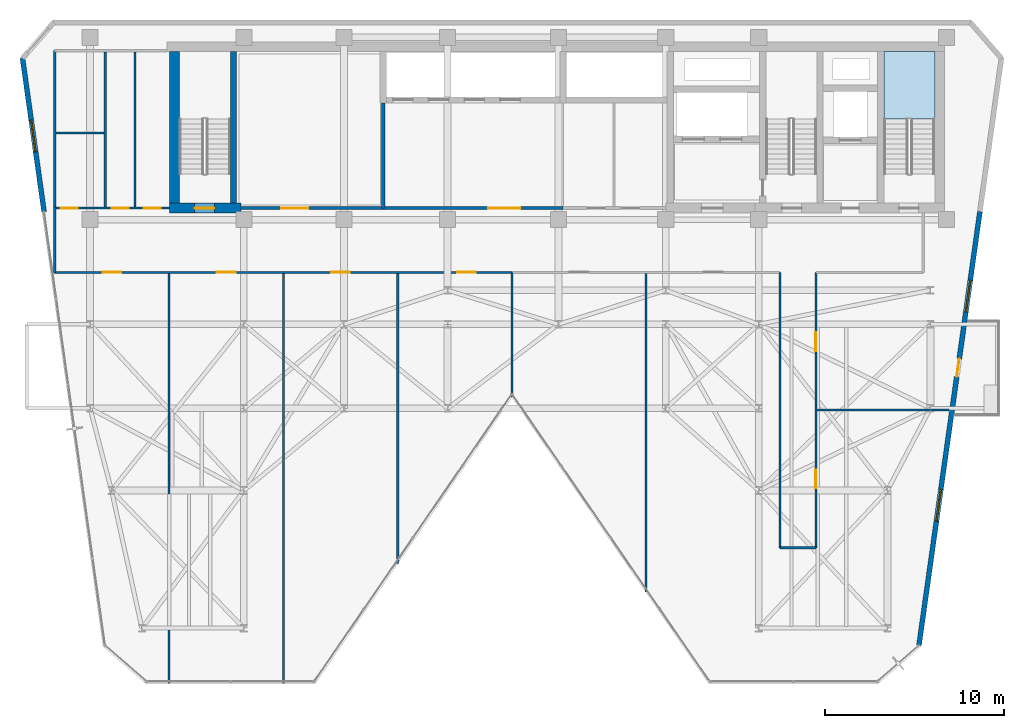
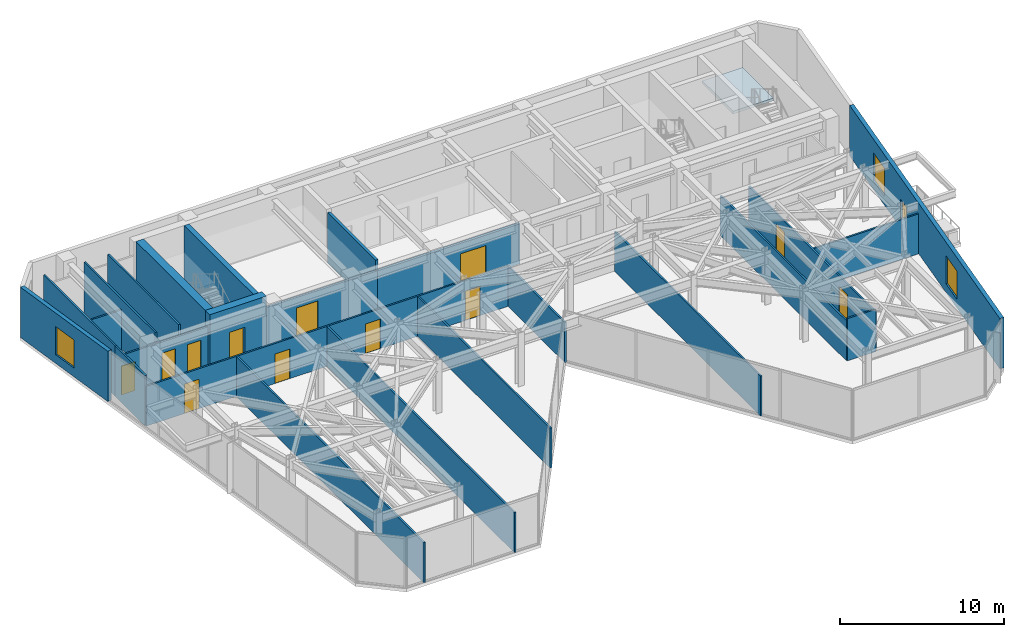
# One storey, part 22 of 26: 24 walls, 13 doors, 3 windows, 1 slab, 16 openings, 1 element without a shape of its own.
"""IFC4 building model written with IfcOpenShell, lengths in metres."""

from ifc_helpers import new_model, si_unit, direction, frame, frame_2d, origin, place, context, subcontext, project, spatial, polyline, rectangle, outline, extrude, material, layer, layer_set, type_object, element, fill, aggregate, save


model = new_model("IFC4")

# Units and contexts
model_context = context("Model", 3, precision=1e-05, world=origin(), true_north=direction((0.0, 1.0)))
body_context = subcontext(model_context, "Body", "Model", "MODEL_VIEW")
ifc_project = project(units=[si_unit("LENGTHUNIT", "METRE"), si_unit("AREAUNIT", "SQUARE_METRE"), si_unit("VOLUMEUNIT", "CUBIC_METRE"), si_unit("PLANEANGLEUNIT", "RADIAN"), si_unit("MASSUNIT", "GRAM", prefix="KILO")], contexts=[model_context])

# Site, building, storey
site_placement = place(None, origin())
site = spatial("IfcSite", under=ifc_project, at=site_placement, CompositionType="ELEMENT")
building_placement = place(site_placement, origin())
building = spatial("IfcBuilding", under=site, at=building_placement, Name="Kravanh Interchange Tower", CompositionType="ELEMENT")
storey_placement = place(building_placement, frame((0.0, 0.0, 180.5)))
storey = spatial("IfcBuildingStorey", under=building, at=storey_placement, Name="L43", CompositionType="ELEMENT", Elevation=180.5)

# Stair, slab
ifc_material_1 = material(Name="Concrete C50/60", Category="concrete")
stair_type = type_object("IfcStairType", Name="Core Fire Exit Dogleg Stair Concrete C50/60", PredefinedType="HALF_TURN_STAIR", material=ifc_material_1)
stair_placement = place(storey_placement, origin())
stair = element("IfcStair", 1, at=stair_placement, inside=storey, type_object=stair_type, Name="L43 Exit Stair ST1", PredefinedType="HALF_TURN_STAIR")
ifc_material_2 = material(Name="Concrete C50/60", Category="concrete")
ifc_layer_1 = layer(ifc_material_2, 0.199951171875)
ifc_layer_set_1 = layer_set([ifc_layer_1], Name="Concrete C50/60 Stair Half-Landing Slab 200mm")
slab_type = type_object("IfcSlabType", Name="Concrete C50/60 Stair Half-Landing Slab 200mm", PredefinedType="LANDING", material=ifc_layer_set_1)
slab_placement = place(storey_placement, frame((0.0, 0.0, 1.800048828125)))
slab = element("IfcSlab", 2, at=slab_placement, type_object=slab_type, Name="ST1 landing 1", PredefinedType="LANDING", context=body_context, shape_type="SweptSolid", body=[
    extrude(outline(polyline([(65.85009765625, 42.97998046875), (65.85009765625, 46.75), (63.0, 46.75), (63.0, 42.97998046875), (65.85009765625, 42.97998046875)])), origin(), (0.0, 0.0, 1.0), 0.199951171875),
])
aggregate(stair, [slab])

# Wall, openings, doors
ifc_material_3 = material(Name="Double Acoustic Gypsum Board and Mineral Wool")
ifc_layer_2 = layer(ifc_material_3, 0.1201171875)
ifc_layer_set_2 = layer_set([ifc_layer_2], Name="Acoustic Office Drywall Partition 120mm")
wall_type_1 = type_object("IfcWallType", Name="Acoustic Office Drywall Partition 120mm", PredefinedType="PARTITIONING", material=ifc_layer_set_2)
wall_1_placement = place(storey_placement, frame((16.6201171875, 38.0, 0.0), z_axis=(0.0, 0.0, 1.0), x_axis=(1.0, 0.0, 0.0)))
wall_1 = element("IfcWall", 3, at=wall_1_placement, inside=storey, type_object=wall_type_1, Name="L43 Restroom Corridor Wall 6", PredefinedType="PARTITIONING", context=body_context, shape_type="SweptSolid", body=[
    extrude(rectangle(XDim=6.429931640625, YDim=0.1201171875, at=frame_2d((3.21484375, 0.0))), origin(), (0.0, 0.0, 1.0), 2.98193359375),
])
opening_1_placement = place(wall_1_placement, frame((0.348876953125, 0.0, 0.0)))
opening_1 = element("IfcOpeningElement", 4, at=opening_1_placement, cuts=wall_1, Name="Opening D-95", PredefinedType="OPENING", context=body_context, shape_type="SweptSolid", body=[
    extrude(rectangle(XDim=0.949951171875, YDim=2.14990234375, at=frame_2d((0.47509765625, 1.074951171875))), frame((0.0, 0.070068359375, 0.0), z_axis=(0.0, -1.0, 0.0), x_axis=(1.0, 0.0, 0.0)), (0.0, 0.0, 1.0), 0.14013671875),
])
opening_2_placement = place(wall_1_placement, frame((3.18505859375, 0.0, 0.0)))
opening_2 = element("IfcOpeningElement", 5, at=opening_2_placement, cuts=wall_1, Name="Opening D-95", PredefinedType="OPENING", context=body_context, shape_type="SweptSolid", body=[
    extrude(rectangle(XDim=0.949951171875, YDim=2.14990234375, at=frame_2d((0.47509765625, 1.074951171875))), frame((0.0, 0.070068359375, 0.0), z_axis=(0.0, -1.0, 0.0), x_axis=(1.0, 0.0, 0.0)), (0.0, 0.0, 1.0), 0.14013671875),
])
opening_3_placement = place(wall_1_placement, frame((4.97509765625, 0.0, 0.0)))
opening_3 = element("IfcOpeningElement", 6, at=opening_3_placement, cuts=wall_1, Name="Opening D-95", PredefinedType="OPENING", context=body_context, shape_type="SweptSolid", body=[
    extrude(rectangle(XDim=0.949951171875, YDim=2.14990234375, at=frame_2d((0.47509765625, 1.074951171875))), frame((0.0, 0.070068359375, 0.0), z_axis=(0.0, -1.0, 0.0), x_axis=(1.0, 0.0, 0.0)), (0.0, 0.0, 1.0), 0.14013671875),
])
ifc_material_4 = material(Name="Laminate Solid-Core Timber", Category="wood")
door_type_1 = type_object("IfcDoorType", Name="Accessible Restroom Door 950x2150", OperationType="NOTDEFINED", PredefinedType="DOOR", material=ifc_material_4)
door_1_placement = place(opening_1_placement, origin())
door_1 = element("IfcDoor", 7, at=door_1_placement, inside=storey, type_object=door_type_1, Name="L43 Accessible WC Door", OperationType="SINGLE_SWING_RIGHT", OverallHeight=2.14990234375, OverallWidth=0.949951171875, PredefinedType="DOOR", context=body_context, shape_type="SweptSolid", body=[
    extrude(rectangle(XDim=0.949951171875, YDim=2.14990234375, at=frame_2d((0.47509765625, 1.074951171875))), frame((0.0, 0.02490234375, 0.0), z_axis=(0.0, -1.0, 0.0), x_axis=(1.0, 0.0, 0.0)), (0.0, 0.0, 1.0), 0.050048828125),
])
fill(opening_1, door_1)
door_2_placement = place(opening_2_placement, origin())
door_2 = element("IfcDoor", 8, at=door_2_placement, inside=storey, type_object=door_type_1, Name="L43 Female WC Door", OperationType="SINGLE_SWING_LEFT", OverallHeight=2.14990234375, OverallWidth=0.949951171875, PredefinedType="DOOR", context=body_context, shape_type="SweptSolid", body=[
    extrude(rectangle(XDim=0.949951171875, YDim=2.14990234375, at=frame_2d((0.47509765625, 1.074951171875))), frame((0.0, 0.02490234375, 0.0), z_axis=(0.0, -1.0, 0.0), x_axis=(1.0, 0.0, 0.0)), (0.0, 0.0, 1.0), 0.050048828125),
])
fill(opening_2, door_2)
door_3_placement = place(opening_3_placement, origin())
door_3 = element("IfcDoor", 9, at=door_3_placement, inside=storey, type_object=door_type_1, Name="L43 Male WC Door", OperationType="SINGLE_SWING_RIGHT", OverallHeight=2.14990234375, OverallWidth=0.949951171875, PredefinedType="DOOR", context=body_context, shape_type="SweptSolid", body=[
    extrude(rectangle(XDim=0.949951171875, YDim=2.14990234375, at=frame_2d((0.47509765625, 1.074951171875))), frame((0.0, 0.02490234375, 0.0), z_axis=(0.0, -1.0, 0.0), x_axis=(1.0, 0.0, 0.0)), (0.0, 0.0, 1.0), 0.050048828125),
])
fill(opening_3, door_3)

# Walls
wall_2_placement = place(storey_placement, frame((16.6201171875, 38.0, 0.0), z_axis=(0.0, 0.0, 1.0), x_axis=(0.0, 1.0, 0.0)))
element("IfcWall", 10, at=wall_2_placement, inside=storey, type_object=wall_type_1, Name="L43 Restroom West Enclosure 7", PredefinedType="PARTITIONING", context=body_context, shape_type="SweptSolid", body=[
    extrude(rectangle(XDim=8.800048828125, YDim=0.1201171875, at=frame_2d((4.39990234375, 0.0))), origin(), (0.0, 0.0, 1.0), 3.7548828125),
])
for number, where, z_axis, x_axis, name in (
    (11, (19.449951171875, 38.068115234375, 0.0), (0.0, 0.0, 1.0), (0.0, 1.0, 0.0), "L43 Interior Partition 9"),
    (12, (21.110107421875, 38.068115234375, 0.0), (0.0, 0.0, 1.0), (0.0, 1.0, 0.0), "L43 Interior Partition 10"),
):
    element("IfcWall", number, at=place(storey_placement, frame(where, z_axis=z_axis, x_axis=x_axis)), inside=storey, type_object=wall_type_1, Name=name, PredefinedType="PARTITIONING", context=body_context, shape_type="SweptSolid", body=[
        extrude(rectangle(XDim=8.663818359375, YDim=0.1201171875, at=frame_2d((4.33203125, 0.0))), origin(), (0.0, 0.0, 1.0), 3.7548828125),
    ])
wall_3_placement = place(storey_placement, frame((16.68798828125, 42.199951171875, 0.0), z_axis=(0.0, 0.0, 1.0), x_axis=(1.0, 0.0, 0.0)))
element("IfcWall", 13, at=wall_3_placement, inside=storey, type_object=wall_type_1, Name="L43 Interior Partition 11", PredefinedType="PARTITIONING", context=body_context, shape_type="SweptSolid", body=[
    extrude(rectangle(XDim=2.694091796875, YDim=0.1201171875, at=frame_2d((1.34716796875, 0.0))), origin(), (0.0, 0.0, 1.0), 2.98193359375),
])

# Wall, openings, doors
wall_4_placement = place(storey_placement, frame((16.6201171875, 34.39990234375, 0.0), z_axis=(0.0, 0.0, 1.0), x_axis=(1.0, 0.0, 0.0)))
wall_4 = element("IfcWall", 14, at=wall_4_placement, inside=storey, type_object=wall_type_1, Name="L43 Interior Partition 12", PredefinedType="PARTITIONING", context=body_context, shape_type="SweptSolid", body=[
    extrude(rectangle(XDim=25.579833984375, YDim=0.1201171875, at=frame_2d((12.7900390625, 0.0))), origin(), (0.0, 0.0, 1.0), 2.98193359375),
])
opening_4_placement = place(wall_4_placement, frame((2.675048828125, 0.0, 0.0)))
opening_4 = element("IfcOpeningElement", 15, at=opening_4_placement, cuts=wall_4, Name="Opening D-105", PredefinedType="OPENING", context=body_context, shape_type="SweptSolid", body=[
    extrude(rectangle(XDim=1.050048828125, YDim=2.199951171875, at=frame_2d((0.52490234375, 1.10009765625))), frame((0.0, 0.070068359375, 0.0), z_axis=(0.0, -1.0, 0.0), x_axis=(1.0, 0.0, 0.0)), (0.0, 0.0, 1.0), 0.14013671875),
])
opening_5_placement = place(wall_4_placement, frame((9.070068359375, 0.0, 0.0)))
opening_5 = element("IfcOpeningElement", 16, at=opening_5_placement, cuts=wall_4, Name="Opening D-105", PredefinedType="OPENING", context=body_context, shape_type="SweptSolid", body=[
    extrude(rectangle(XDim=1.050048828125, YDim=2.199951171875, at=frame_2d((0.52490234375, 1.10009765625))), frame((0.0, 0.070068359375, 0.0), z_axis=(0.0, -1.0, 0.0), x_axis=(1.0, 0.0, 0.0)), (0.0, 0.0, 1.0), 0.14013671875),
])
opening_6_placement = place(wall_4_placement, frame((15.465087890625, 0.0, 0.0)))
opening_6 = element("IfcOpeningElement", 17, at=opening_6_placement, cuts=wall_4, Name="Opening D-105", PredefinedType="OPENING", context=body_context, shape_type="SweptSolid", body=[
    extrude(rectangle(XDim=1.050048828125, YDim=2.199951171875, at=frame_2d((0.52490234375, 1.10009765625))), frame((0.0, 0.070068359375, 0.0), z_axis=(0.0, -1.0, 0.0), x_axis=(1.0, 0.0, 0.0)), (0.0, 0.0, 1.0), 0.14013671875),
])
opening_7_placement = place(wall_4_placement, frame((22.50537109375, 0.0, 0.0)))
opening_7 = element("IfcOpeningElement", 18, at=opening_7_placement, cuts=wall_4, Name="Opening D-105", PredefinedType="OPENING", context=body_context, shape_type="SweptSolid", body=[
    extrude(rectangle(XDim=1.050048828125, YDim=2.199951171875, at=frame_2d((0.52490234375, 1.10009765625))), frame((0.0, 0.070068359375, 0.0), z_axis=(0.0, -1.0, 0.0), x_axis=(1.0, 0.0, 0.0)), (0.0, 0.0, 1.0), 0.14013671875),
])
ifc_material_5 = material(Name="Acoustic Glazed Oak and Aluminium", Category="aluminium")
door_type_2 = type_object("IfcDoorType", Name="Office Workplace Door 1050x2200", OperationType="NOTDEFINED", PredefinedType="DOOR", material=ifc_material_5)
door_4_placement = place(opening_4_placement, origin())
door_4 = element("IfcDoor", 19, at=door_4_placement, inside=storey, type_object=door_type_2, Name="L43 Office 10A Door", OperationType="SINGLE_SWING_LEFT", OverallHeight=2.199951171875, OverallWidth=1.050048828125, PredefinedType="DOOR", context=body_context, shape_type="SweptSolid", body=[
    extrude(rectangle(XDim=1.050048828125, YDim=2.199951171875, at=frame_2d((0.52490234375, 1.10009765625))), frame((0.0, 0.02490234375, 0.0), z_axis=(0.0, -1.0, 0.0), x_axis=(1.0, 0.0, 0.0)), (0.0, 0.0, 1.0), 0.050048828125),
])
fill(opening_4, door_4)
door_5_placement = place(opening_5_placement, origin())
door_5 = element("IfcDoor", 20, at=door_5_placement, inside=storey, type_object=door_type_2, Name="L43 Office 10B Door", OperationType="SINGLE_SWING_RIGHT", OverallHeight=2.199951171875, OverallWidth=1.050048828125, PredefinedType="DOOR", context=body_context, shape_type="SweptSolid", body=[
    extrude(rectangle(XDim=1.050048828125, YDim=2.199951171875, at=frame_2d((0.52490234375, 1.10009765625))), frame((0.0, 0.02490234375, 0.0), z_axis=(0.0, -1.0, 0.0), x_axis=(1.0, 0.0, 0.0)), (0.0, 0.0, 1.0), 0.050048828125),
])
fill(opening_5, door_5)
door_6_placement = place(opening_6_placement, origin())
door_6 = element("IfcDoor", 21, at=door_6_placement, inside=storey, type_object=door_type_2, Name="L43 Office 10C Door", OperationType="SINGLE_SWING_LEFT", OverallHeight=2.199951171875, OverallWidth=1.050048828125, PredefinedType="DOOR", context=body_context, shape_type="SweptSolid", body=[
    extrude(rectangle(XDim=1.050048828125, YDim=2.199951171875, at=frame_2d((0.52490234375, 1.10009765625))), frame((0.0, 0.02490234375, 0.0), z_axis=(0.0, -1.0, 0.0), x_axis=(1.0, 0.0, 0.0)), (0.0, 0.0, 1.0), 0.050048828125),
])
fill(opening_6, door_6)
door_7_placement = place(opening_7_placement, origin())
door_7 = element("IfcDoor", 22, at=door_7_placement, inside=storey, type_object=door_type_2, Name="L43 Office 10D Door", OperationType="SINGLE_SWING_RIGHT", OverallHeight=2.199951171875, OverallWidth=1.050048828125, PredefinedType="DOOR", context=body_context, shape_type="SweptSolid", body=[
    extrude(rectangle(XDim=1.050048828125, YDim=2.199951171875, at=frame_2d((0.52490234375, 1.10009765625))), frame((0.0, 0.02490234375, 0.0), z_axis=(0.0, -1.0, 0.0), x_axis=(1.0, 0.0, 0.0)), (0.0, 0.0, 1.0), 0.050048828125),
])
fill(opening_7, door_7)

# Walls
wall_5_placement = place(storey_placement, frame((16.6201171875, 34.39990234375, 0.0), z_axis=(0.0, 0.0, 1.0), x_axis=(0.0, 1.0, 0.0)))
element("IfcWall", 23, at=wall_5_placement, inside=storey, type_object=wall_type_1, Name="L43 Interior Partition 15", PredefinedType="PARTITIONING", context=body_context, shape_type="SweptSolid", body=[
    extrude(rectangle(XDim=3.650146484375, YDim=0.1201171875, at=frame_2d((1.8251953125, 0.0))), origin(), (0.0, 0.0, 1.0), 3.7548828125),
])
wall_6_placement = place(storey_placement, frame((57.199951171875, 19.0, 0.0), z_axis=(0.0, 0.0, 1.0), x_axis=(0.0, 1.0, 0.0)))
element("IfcWall", 24, at=wall_6_placement, inside=storey, type_object=wall_type_1, Name="L43 Interior Partition 17", PredefinedType="PARTITIONING", context=body_context, shape_type="SweptSolid", body=[
    extrude(rectangle(XDim=15.39990234375, YDim=0.1201171875, at=frame_2d((7.699951171875, 0.0))), origin(), (0.0, 0.0, 1.0), 2.98193359375),
])

# Wall, openings, doors
wall_7_placement = place(storey_placement, frame((59.199951171875, 19.0, 0.0), z_axis=(0.0, 0.0, 1.0), x_axis=(0.0, 1.0, 0.0)))
wall_7 = element("IfcWall", 25, at=wall_7_placement, inside=storey, type_object=wall_type_1, Name="L43 Interior Partition 18", PredefinedType="PARTITIONING", context=body_context, shape_type="SweptSolid", body=[
    extrude(rectangle(XDim=15.39990234375, YDim=0.1201171875, at=frame_2d((7.699951171875, 0.0))), origin(), (0.0, 0.0, 1.0), 2.98193359375),
])
opening_8_placement = place(wall_7_placement, frame((3.324951171875, 0.0, 0.0)))
opening_8 = element("IfcOpeningElement", 26, at=opening_8_placement, cuts=wall_7, Name="Opening D-105", PredefinedType="OPENING", context=body_context, shape_type="SweptSolid", body=[
    extrude(rectangle(XDim=1.050048828125, YDim=2.199951171875, at=frame_2d((0.52490234375, 1.10009765625))), frame((0.0, 0.070068359375, 0.0), z_axis=(0.0, -1.0, 0.0), x_axis=(1.0, 0.0, 0.0)), (0.0, 0.0, 1.0), 0.14013671875),
])
opening_9_placement = place(wall_7_placement, frame((11.0, 0.0, 0.0)))
opening_9 = element("IfcOpeningElement", 27, at=opening_9_placement, cuts=wall_7, Name="Opening D-105", PredefinedType="OPENING", context=body_context, shape_type="SweptSolid", body=[
    extrude(rectangle(XDim=1.050048828125, YDim=2.199951171875, at=frame_2d((0.52490234375, 1.10009765625))), frame((0.0, 0.070068359375, 0.0), z_axis=(0.0, -1.0, 0.0), x_axis=(1.0, 0.0, 0.0)), (0.0, 0.0, 1.0), 0.14013671875),
])
door_8_placement = place(opening_8_placement, origin())
door_8 = element("IfcDoor", 28, at=door_8_placement, inside=storey, type_object=door_type_2, Name="L43 SE Corner Office 10I Door", OperationType="SINGLE_SWING_LEFT", OverallHeight=2.199951171875, OverallWidth=1.050048828125, PredefinedType="DOOR", context=body_context, shape_type="SweptSolid", body=[
    extrude(rectangle(XDim=1.050048828125, YDim=2.199951171875, at=frame_2d((0.52490234375, 1.10009765625))), frame((0.0, 0.02490234375, 0.0), z_axis=(0.0, -1.0, 0.0), x_axis=(1.0, 0.0, 0.0)), (0.0, 0.0, 1.0), 0.050048828125),
])
fill(opening_8, door_8)
door_9_placement = place(opening_9_placement, origin())
door_9 = element("IfcDoor", 29, at=door_9_placement, inside=storey, type_object=door_type_2, Name="L43 East Balcony Office 10H Door", OperationType="SINGLE_SWING_RIGHT", OverallHeight=2.199951171875, OverallWidth=1.050048828125, PredefinedType="DOOR", context=body_context, shape_type="SweptSolid", body=[
    extrude(rectangle(XDim=1.050048828125, YDim=2.199951171875, at=frame_2d((0.52490234375, 1.10009765625))), frame((0.0, 0.02490234375, 0.0), z_axis=(0.0, -1.0, 0.0), x_axis=(1.0, 0.0, 0.0)), (0.0, 0.0, 1.0), 0.050048828125),
])
fill(opening_9, door_9)

# Walls
wall_8_placement = place(storey_placement, frame((57.199951171875, 19.0, 0.0), z_axis=(0.0, 0.0, 1.0), x_axis=(1.0, 0.0, 0.0)))
element("IfcWall", 30, at=wall_8_placement, inside=storey, type_object=wall_type_1, Name="L43 Interior Partition 19", PredefinedType="PARTITIONING", context=body_context, shape_type="SweptSolid", body=[
    extrude(rectangle(XDim=2.0, YDim=0.1201171875, at=frame_2d((1.0, 0.0))), origin(), (0.0, 0.0, 1.0), 3.14697265625),
])
wall_9_placement = place(storey_placement, frame((59.26806640625, 26.699951171875, 0.0), z_axis=(0.0, 0.0, 1.0), x_axis=(1.0, 0.0, 0.0)))
element("IfcWall", 31, at=wall_9_placement, inside=storey, type_object=wall_type_1, Name="L43 Interior Partition 20", PredefinedType="PARTITIONING", context=body_context, shape_type="SweptSolid", body=[
    extrude(rectangle(XDim=7.38037109375, YDim=0.1201171875, at=frame_2d((3.690185546875, 0.0))), origin(), (0.0, 0.0, 1.0), 2.98193359375),
])
wall_10_placement = place(storey_placement, frame((42.199951171875, 27.426513671875, 0.0), z_axis=(0.0, 0.0, 1.0), x_axis=(0.0, 1.0, 0.0)))
element("IfcWall", 32, at=wall_10_placement, inside=storey, type_object=wall_type_1, Name="L43 Interior Partition 21", PredefinedType="PARTITIONING", context=body_context, shape_type="SweptSolid", body=[
    extrude(rectangle(XDim=6.973388671875, YDim=0.1201171875, at=frame_2d((3.48681640625, 0.0))), origin(), (0.0, 0.0, 1.0), 2.98193359375),
])
for number, where, z_axis, x_axis, name in (
    (33, (23.02001953125, 11.4150390625, 0.0), (0.0, 0.0, 1.0), (0.0, 1.0, 0.0), "L43 Interior Partition 22"),
    (34, (29.409912109375, 11.4150390625, 0.0), (0.0, 0.0, 1.0), (0.0, 1.0, 0.0), "L43 Interior Partition 23"),
):
    element("IfcWall", number, at=place(storey_placement, frame(where, z_axis=z_axis, x_axis=x_axis)), inside=storey, type_object=wall_type_1, Name=name, PredefinedType="PARTITIONING", context=body_context, shape_type="SweptSolid", body=[
        extrude(rectangle(XDim=22.9169921875, YDim=0.1201171875, at=frame_2d((11.45849609375, 0.0))), origin(), (0.0, 0.0, 1.0), 2.98193359375),
    ])
wall_11_placement = place(storey_placement, frame((35.81005859375, 18.1318359375, 0.0), z_axis=(0.0, 0.0, 1.0), x_axis=(0.0, 1.0, 0.0)))
element("IfcWall", 35, at=wall_11_placement, inside=storey, type_object=wall_type_1, Name="L43 Interior Partition 24", PredefinedType="PARTITIONING", context=body_context, shape_type="SweptSolid", body=[
    extrude(rectangle(XDim=16.2001953125, YDim=0.1201171875, at=frame_2d((8.10009765625, 0.0))), origin(), (0.0, 0.0, 1.0), 2.98193359375),
])
wall_12_placement = place(storey_placement, frame((49.699951171875, 16.517333984375, 0.0), z_axis=(0.0, 0.0, 1.0), x_axis=(0.0, 1.0, 0.0)))
element("IfcWall", 36, at=wall_12_placement, inside=storey, type_object=wall_type_1, Name="L43 Interior Partition 25", PredefinedType="PARTITIONING", context=body_context, shape_type="SweptSolid", body=[
    extrude(rectangle(XDim=17.814697265625, YDim=0.1201171875, at=frame_2d((8.9072265625, 0.0))), origin(), (0.0, 0.0, 1.0), 2.98193359375),
])
ifc_material_6 = material(Name="Concrete C60/75", Category="concrete")
ifc_layer_3 = layer(ifc_material_6, 0.35009765625)
ifc_layer_set_3 = layer_set([ifc_layer_3], Name="Core Shear Wall Concrete C60/75 350mm")
wall_type_2 = type_object("IfcWallType", Name="Core Shear Wall Concrete C60/75 350mm", PredefinedType="SHEAR", material=ifc_layer_set_3)
wall_13_placement = place(storey_placement, frame((26.625, 38.27490234375, 0.0), z_axis=(0.0, 0.0, 1.0), x_axis=(0.0, 1.0, 0.0)))
element("IfcWall", 37, at=wall_13_placement, inside=storey, type_object=wall_type_2, Name="L43 Stair ST3 East Shear Wall", PredefinedType="SHEAR", context=body_context, shape_type="SweptSolid", body=[
    extrude(rectangle(XDim=8.47509765625, YDim=0.35009765625, at=frame_2d((4.237548828125, 0.0))), origin(), (0.0, 0.0, 1.0), 4.0),
])

# Wall, opening, door
ifc_material_7 = material(Name="Concrete C70/85", Category="concrete")
ifc_layer_4 = layer(ifc_material_7, 0.550048828125)
ifc_layer_set_4 = layer_set([ifc_layer_4], Name="Core Shear Wall Concrete C70/85 550mm")
wall_type_3 = type_object("IfcWallType", Name="Core Shear Wall Concrete C70/85 550mm", PredefinedType="SHEAR", material=ifc_layer_set_4)
wall_14_placement = place(storey_placement, frame((23.050048828125, 38.0, 0.0), z_axis=(0.0, 0.0, 1.0), x_axis=(1.0, 0.0, 0.0)))
wall_14 = element("IfcWall", 38, at=wall_14_placement, inside=storey, type_object=wall_type_3, Name="L43 Stair ST3 South Shear Wall", PredefinedType="SHEAR", context=body_context, shape_type="SweptSolid", body=[
    extrude(rectangle(XDim=4.0, YDim=0.550048828125, at=frame_2d((2.0, 0.0))), origin(), (0.0, 0.0, 1.0), 4.0),
])
opening_10_placement = place(wall_14_placement, frame((1.39990234375, 0.0, 0.0)))
opening_10 = element("IfcOpeningElement", 39, at=opening_10_placement, cuts=wall_14, Name="Opening D-STAIR-110", PredefinedType="OPENING", context=body_context, shape_type="SweptSolid", body=[
    extrude(rectangle(XDim=1.10009765625, YDim=2.199951171875, at=frame_2d((0.550048828125, 1.10009765625))), frame((0.0, 0.28515625, 0.0), z_axis=(0.0, -1.0, 0.0), x_axis=(1.0, 0.0, 0.0)), (0.0, 0.0, 1.0), 0.570068359375),
])
ifc_material_8 = material(Name="Structural Steel S355", Category="steel")
door_type_3 = type_object("IfcDoorType", Name="Fire-Rated Exit Stair Door 1100x2200", OperationType="NOTDEFINED", PredefinedType="DOOR", material=ifc_material_8)
door_10_placement = place(opening_10_placement, origin())
door_10 = element("IfcDoor", 40, at=door_10_placement, inside=storey, type_object=door_type_3, Name="L43 Exit Stair ST3 Door", OperationType="SINGLE_SWING_RIGHT", OverallHeight=2.199951171875, OverallWidth=1.10009765625, PredefinedType="DOOR", context=body_context, shape_type="SweptSolid", body=[
    extrude(rectangle(XDim=1.10009765625, YDim=2.199951171875, at=frame_2d((0.550048828125, 1.10009765625))), frame((0.0, 0.02490234375, 0.0), z_axis=(0.0, -1.0, 0.0), x_axis=(1.0, 0.0, 0.0)), (0.0, 0.0, 1.0), 0.050048828125),
])
fill(opening_10, door_10)

# Wall
wall_15_placement = place(storey_placement, frame((23.324951171875, 38.27490234375, 0.0), z_axis=(0.0, 0.0, 1.0), x_axis=(0.0, 1.0, 0.0)))
element("IfcWall", 41, at=wall_15_placement, inside=storey, type_object=wall_type_3, Name="L43 Stair ST3 West Shear Wall", PredefinedType="SHEAR", context=body_context, shape_type="SweptSolid", body=[
    extrude(rectangle(XDim=8.47509765625, YDim=0.550048828125, at=frame_2d((4.237548828125, 0.0))), origin(), (0.0, 0.0, 1.0), 4.0),
])

# Wall, opening, window
ifc_material_9 = material(Name="Insulated Precast Concrete C40/50 with Bronze Cladding", Category="concrete")
ifc_layer_5 = layer(ifc_material_9, 0.280029296875)
ifc_layer_set_5 = layer_set([ifc_layer_5], Name="Exterior Insulated Concrete C40/50 Bronze Spandrel Wall 280mm")
wall_type_4 = type_object("IfcWallType", Name="Exterior Insulated Concrete C40/50 Bronze Spandrel Wall 280mm", PredefinedType="STANDARD", material=ifc_layer_set_5)
wall_16_placement = place(storey_placement, frame((16.02490234375, 37.800048828125, 0.0), z_axis=(0.0, 0.0, 1.0), x_axis=(-0.13918102754, 0.990266954701, 0.0)))
wall_16 = element("IfcWall", 42, at=wall_16_placement, inside=storey, type_object=wall_type_4, Name="L43 Exterior Wall 1", PredefinedType="STANDARD", context=body_context, shape_type="SweptSolid", body=[
    extrude(rectangle(XDim=8.667236328125, YDim=0.280029296875, at=frame_2d((4.33349609375, 0.0))), origin(), (0.0, 0.0, 1.0), 3.7548828125),
])
opening_11_placement = place(wall_16_placement, frame((3.37353515625, 0.0, 0.64990234375)))
opening_11 = element("IfcOpeningElement", 43, at=opening_11_placement, cuts=wall_16, Name="Opening WN-180X210", PredefinedType="OPENING", context=body_context, shape_type="SweptSolid", body=[
    extrude(rectangle(XDim=1.800048828125, YDim=2.10009765625, at=frame_2d((0.89990234375, 1.050048828125))), frame((0.0, 0.14990234375, 0.0), z_axis=(0.0, -1.0, 0.0), x_axis=(1.0, 0.0, 0.0)), (0.0, 0.0, 1.0), 0.300048828125),
])
ifc_material_10 = material(Name="Thermally Broken Bronze Aluminium and Low-E Glass", Category="aluminium")
window_type = type_object("IfcWindowType", Name="Tower Pier Window 1800x2100", PartitioningType="SINGLE_PANEL", PredefinedType="WINDOW", material=ifc_material_10)
window_1_placement = place(opening_11_placement, origin())
window_1 = element("IfcWindow", 44, at=window_1_placement, inside=storey, type_object=window_type, Name="L43 Corner Window 1", OverallHeight=2.10009765625, OverallWidth=1.800048828125, PartitioningType="SINGLE_PANEL", PredefinedType="WINDOW", context=body_context, shape_type="SweptSolid", body=[
    extrude(rectangle(XDim=1.800048828125, YDim=2.10009765625, at=frame_2d((0.89990234375, 1.050048828125))), frame((0.0, 0.030029296875, 0.0), z_axis=(0.0, -1.0, 0.0), x_axis=(1.0, 0.0, 0.0)), (0.0, 0.0, 1.0), 0.06005859375),
])
fill(opening_11, window_1)

# Wall, openings, door, windows
wall_17_placement = place(storey_placement, frame((68.375, 37.800048828125, 0.0), z_axis=(0.0, 0.0, 1.0), x_axis=(-0.139173290738, -0.99026804207, 0.0)))
wall_17 = element("IfcWall", 45, at=wall_17_placement, inside=storey, type_object=wall_type_4, Name="L43 Exterior Wall 6", PredefinedType="STANDARD", context=body_context, shape_type="SweptSolid", body=[
    extrude(rectangle(XDim=24.497802734375, YDim=0.280029296875, at=frame_2d((12.2490234375, 0.0))), origin(), (0.0, 0.0, 1.0), 3.7548828125),
])
opening_12_placement = place(wall_17_placement, frame((8.319091796875, 0.0, 0.0)))
opening_12 = element("IfcOpeningElement", 46, at=opening_12_placement, cuts=wall_17, Name="Opening ED-BAL100", PredefinedType="OPENING", context=body_context, shape_type="SweptSolid", body=[
    extrude(rectangle(XDim=1.0, YDim=2.14990234375, at=frame_2d((0.5, 1.074951171875))), frame((0.0, 0.14990234375, 0.0), z_axis=(0.0, -1.0, 0.0), x_axis=(1.0, 0.0, 0.0)), (0.0, 0.0, 1.0), 0.300048828125),
])
opening_13_placement = place(wall_17_placement, frame((3.869140625, 0.0, 0.64990234375)))
opening_13 = element("IfcOpeningElement", 47, at=opening_13_placement, cuts=wall_17, Name="Opening WN-180X210", PredefinedType="OPENING", context=body_context, shape_type="SweptSolid", body=[
    extrude(rectangle(XDim=1.800048828125, YDim=2.10009765625, at=frame_2d((0.89990234375, 1.050048828125))), frame((0.0, 0.14990234375, 0.0), z_axis=(0.0, -1.0, 0.0), x_axis=(1.0, 0.0, 0.0)), (0.0, 0.0, 1.0), 0.300048828125),
])
opening_14_placement = place(wall_17_placement, frame((15.69189453125, 0.0, 0.64990234375)))
opening_14 = element("IfcOpeningElement", 48, at=opening_14_placement, cuts=wall_17, Name="Opening WN-180X210", PredefinedType="OPENING", context=body_context, shape_type="SweptSolid", body=[
    extrude(rectangle(XDim=1.800048828125, YDim=2.10009765625, at=frame_2d((0.89990234375, 1.050048828125))), frame((0.0, 0.14990234375, 0.0), z_axis=(0.0, -1.0, 0.0), x_axis=(1.0, 0.0, 0.0)), (0.0, 0.0, 1.0), 0.300048828125),
])
ifc_material_11 = material(Name="Thermally Broken Bronze Aluminium and Laminated Glass", Category="aluminium")
door_type_4 = type_object("IfcDoorType", Name="Balcony Glazed Door 1000x2150", OperationType="NOTDEFINED", PredefinedType="DOOR", material=ifc_material_11)
door_11_placement = place(opening_12_placement, origin())
door_11 = element("IfcDoor", 49, at=door_11_placement, inside=storey, type_object=door_type_4, Name="L43 E Tree Balcony Access Door", OperationType="SINGLE_SWING_LEFT", OverallHeight=2.14990234375, OverallWidth=1.0, PredefinedType="DOOR", context=body_context, shape_type="SweptSolid", body=[
    extrude(rectangle(XDim=1.0, YDim=2.14990234375, at=frame_2d((0.5, 1.074951171875))), frame((0.0, 0.02490234375, 0.0), z_axis=(0.0, -1.0, 0.0), x_axis=(1.0, 0.0, 0.0)), (0.0, 0.0, 1.0), 0.050048828125),
])
fill(opening_12, door_11)
window_2_placement = place(opening_13_placement, origin())
window_2 = element("IfcWindow", 50, at=window_2_placement, inside=storey, type_object=window_type, Name="L43 Facade Window 6A", OverallHeight=2.10009765625, OverallWidth=1.800048828125, PartitioningType="SINGLE_PANEL", PredefinedType="WINDOW", context=body_context, shape_type="SweptSolid", body=[
    extrude(rectangle(XDim=1.800048828125, YDim=2.10009765625, at=frame_2d((0.89990234375, 1.050048828125))), frame((0.0, 0.030029296875, 0.0), z_axis=(0.0, -1.0, 0.0), x_axis=(1.0, 0.0, 0.0)), (0.0, 0.0, 1.0), 0.06005859375),
])
fill(opening_13, window_2)
window_3_placement = place(opening_14_placement, origin())
window_3 = element("IfcWindow", 51, at=window_3_placement, inside=storey, type_object=window_type, Name="L43 Facade Window 6B", OverallHeight=2.10009765625, OverallWidth=1.800048828125, PartitioningType="SINGLE_PANEL", PredefinedType="WINDOW", context=body_context, shape_type="SweptSolid", body=[
    extrude(rectangle(XDim=1.800048828125, YDim=2.10009765625, at=frame_2d((0.89990234375, 1.050048828125))), frame((0.0, 0.030029296875, 0.0), z_axis=(0.0, -1.0, 0.0), x_axis=(1.0, 0.0, 0.0)), (0.0, 0.0, 1.0), 0.06005859375),
])
fill(opening_14, window_3)

# Wall
ifc_material_12 = material(Name="Autoclaved Aerated Concrete C30/37 Blockwork", Category="masonry")
ifc_layer_6 = layer(ifc_material_12, 0.179931640625)
ifc_layer_set_6 = layer_set([ifc_layer_6], Name="Fire-Rated Lobby and Corridor Wall Concrete C30/37 180mm")
wall_type_5 = type_object("IfcWallType", Name="Fire-Rated Lobby and Corridor Wall Concrete C30/37 180mm", PredefinedType="STANDARD", material=ifc_layer_set_6)
wall_18_placement = place(storey_placement, frame((35.0, 38.0, 0.0), z_axis=(0.0, 0.0, 1.0), x_axis=(0.0, 1.0, 0.0)))
element("IfcWall", 52, at=wall_18_placement, inside=storey, type_object=wall_type_5, Name="L43 Interior Partition 4", PredefinedType="STANDARD", context=body_context, shape_type="SweptSolid", body=[
    extrude(rectangle(XDim=5.875, YDim=0.179931640625, at=frame_2d((2.9375, 0.0))), origin(), (0.0, 0.0, 1.0), 3.7548828125),
])

# Wall, opening, door
wall_19_placement = place(storey_placement, frame((35.0, 38.0, 0.0), z_axis=(0.0, 0.0, 1.0), x_axis=(1.0, 0.0, 0.0)))
wall_19 = element("IfcWall", 53, at=wall_19_placement, inside=storey, type_object=wall_type_5, Name="L43 Interior Partition 5", PredefinedType="STANDARD", context=body_context, shape_type="SweptSolid", body=[
    extrude(rectangle(XDim=10.050048828125, YDim=0.179931640625, at=frame_2d((5.02490234375, 0.0))), origin(), (0.0, 0.0, 1.0), 2.98193359375),
])
opening_15_placement = place(wall_19_placement, frame((5.85791015625, 0.0, 0.0)))
opening_15 = element("IfcOpeningElement", 54, at=opening_15_placement, cuts=wall_19, Name="Opening DBL-180", PredefinedType="OPENING", context=body_context, shape_type="SweptSolid", body=[
    extrude(rectangle(XDim=1.800048828125, YDim=2.199951171875, at=frame_2d((0.89990234375, 1.10009765625))), frame((0.0, 0.10009765625, 0.0), z_axis=(0.0, -1.0, 0.0), x_axis=(1.0, 0.0, 0.0)), (0.0, 0.0, 1.0), 0.199951171875),
])
ifc_material_13 = material(Name="Structural Steel S355", Category="steel")
door_type_5 = type_object("IfcDoorType", Name="Lift Lobby Double Fire Door 1800x2200", OperationType="DOUBLE_DOOR_SINGLE_SWING", PredefinedType="DOOR", material=ifc_material_13)
door_12_placement = place(opening_15_placement, origin())
door_12 = element("IfcDoor", 55, at=door_12_placement, inside=storey, type_object=door_type_5, Name="L43 Mid-Rise Lift Lobby Door", OperationType="DOUBLE_DOOR_SINGLE_SWING", OverallHeight=2.199951171875, OverallWidth=1.800048828125, PredefinedType="DOOR", context=body_context, shape_type="SweptSolid", body=[
    extrude(rectangle(XDim=1.800048828125, YDim=2.199951171875, at=frame_2d((0.89990234375, 1.10009765625))), frame((0.0, 0.02490234375, 0.0), z_axis=(0.0, -1.0, 0.0), x_axis=(1.0, 0.0, 0.0)), (0.0, 0.0, 1.0), 0.050048828125),
])
fill(opening_15, door_12)

ifc_material_14 = material(Name="Twin Stud Acoustic Gypsum Board Wall")
ifc_layer_7 = layer(ifc_material_14, 0.14990234375)
ifc_layer_set_7 = layer_set([ifc_layer_7], Name="Medium-Duty Acoustic Partition 150mm")
wall_type_6 = type_object("IfcWallType", Name="Medium-Duty Acoustic Partition 150mm", PredefinedType="PARTITIONING", material=ifc_layer_set_7)
wall_20_placement = place(storey_placement, frame((27.050048828125, 38.0, 0.0), z_axis=(0.0, 0.0, 1.0), x_axis=(1.0, 0.0, 0.0)))
wall_20 = element("IfcWall", 56, at=wall_20_placement, inside=storey, type_object=wall_type_6, Name="L43 Interior Partition 3", PredefinedType="PARTITIONING", context=body_context, shape_type="SweptSolid", body=[
    extrude(rectangle(XDim=7.949951171875, YDim=0.14990234375, at=frame_2d((3.97509765625, 0.0))), origin(), (0.0, 0.0, 1.0), 2.98193359375),
])
opening_16_placement = place(wall_20_placement, frame((2.25, 0.0, 0.0)))
opening_16 = element("IfcOpeningElement", 57, at=opening_16_placement, cuts=wall_20, Name="Opening DBL-150", PredefinedType="OPENING", context=body_context, shape_type="SweptSolid", body=[
    extrude(rectangle(XDim=1.5, YDim=2.199951171875, at=frame_2d((0.75, 1.10009765625))), frame((0.0, 0.0849609375, 0.0), z_axis=(0.0, -1.0, 0.0), x_axis=(1.0, 0.0, 0.0)), (0.0, 0.0, 1.0), 0.169921875),
])
ifc_material_15 = material(Name="Acoustic Timber and Toughened Glass", Category="wood")
door_type_6 = type_object("IfcDoorType", Name="Conference Hall Double Door 1500x2200", OperationType="DOUBLE_DOOR_SINGLE_SWING", PredefinedType="DOOR", material=ifc_material_15)
door_13_placement = place(opening_16_placement, origin())
door_13 = element("IfcDoor", 58, at=door_13_placement, inside=storey, type_object=door_type_6, Name="L43 Core Wellness Studio Door", OperationType="DOUBLE_DOOR_SINGLE_SWING", OverallHeight=2.199951171875, OverallWidth=1.5, PredefinedType="DOOR", context=body_context, shape_type="SweptSolid", body=[
    extrude(rectangle(XDim=1.5, YDim=2.199951171875, at=frame_2d((0.75, 1.10009765625))), frame((0.0, 0.02490234375, 0.0), z_axis=(0.0, -1.0, 0.0), x_axis=(1.0, 0.0, 0.0)), (0.0, 0.0, 1.0), 0.050048828125),
])
fill(opening_16, door_13)

save(model, "model.ifc")
